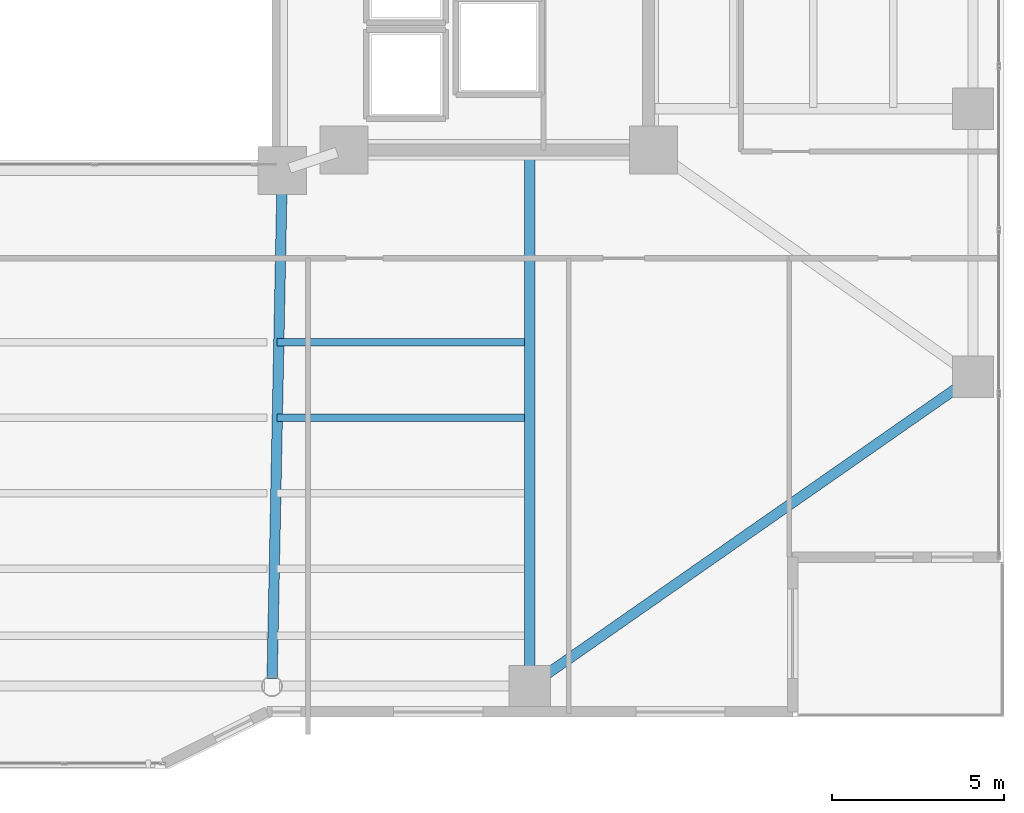
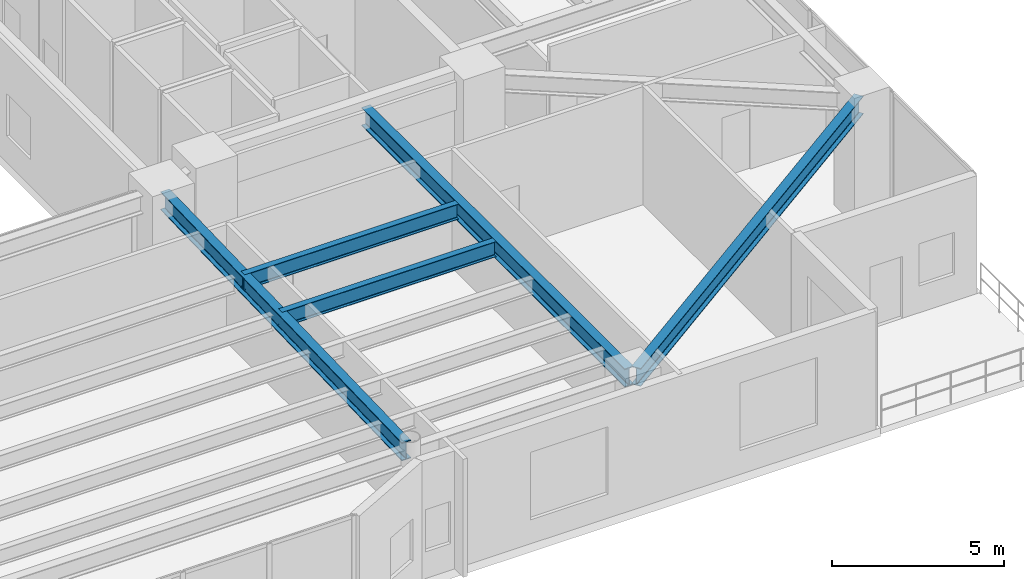
# One storey, part 12 of 40: 5 beams.
"""IFC4 building model written with IfcOpenShell, lengths in metres."""

from ifc_helpers import new_model, si_unit, direction, frame, origin, origin_2d, place, context, subcontext, project, spatial, i_section, extrude, material, material_profile, profile_set, type_object, element, save


model = new_model("IFC4")

# Units and contexts
model_context = context("Model", 3, precision=1e-05, world=origin(), true_north=direction((0.0, 1.0)))
body_context = subcontext(model_context, "Body", "Model", "MODEL_VIEW")
ifc_project = project(units=[si_unit("LENGTHUNIT", "METRE"), si_unit("AREAUNIT", "SQUARE_METRE"), si_unit("VOLUMEUNIT", "CUBIC_METRE"), si_unit("PLANEANGLEUNIT", "RADIAN"), si_unit("MASSUNIT", "GRAM", prefix="KILO")], contexts=[model_context])

# Site, building, storey
site_placement = place(None, origin())
site = spatial("IfcSite", under=ifc_project, at=site_placement, CompositionType="ELEMENT")
building_placement = place(site_placement, origin())
building = spatial("IfcBuilding", under=site, at=building_placement, Name="Tarnavaz Court Tower", CompositionType="ELEMENT")
storey_placement = place(building_placement, frame((0.0, 0.0, 64.199951171875)))
storey = spatial("IfcBuildingStorey", under=building, at=storey_placement, Name="L17", CompositionType="ELEMENT", Elevation=64.199951171875)

# Beams
ifc_material = material(Name="Steel S355", Category="steel")
ifc_material_profile_1 = material_profile(ifc_material, i_section(OverallWidth=0.300048828125, OverallDepth=0.64990234375, WebThickness=0.01611328125, FlangeThickness=0.031005859375, FilletRadius=0.027099609375, at=origin_2d()), Name="HEB 650")
ifc_profile_set_1 = profile_set([ifc_material_profile_1], Name="Steel S355")
beam_type_1 = type_object("IfcBeamType", Name="BM-G-HEB650", PredefinedType="USERDEFINED", material=ifc_profile_set_1)
beam_1_placement = place(storey_placement, frame((7.795654296875, -8.02001953125, 3.875), z_axis=(-0.020000023066, -0.999799979535, 0.0), x_axis=(0.999799979535, -0.020000023066, 0.0)))
element("IfcBeam", 1, at=beam_1_placement, inside=storey, type_object=beam_type_1, Name="L17 Beam RG-07", ObjectType="GIRDER", PredefinedType="USERDEFINED", context=body_context, shape_type="SweptSolid", body=[
    extrude(i_section(OverallWidth=0.300048828125, OverallDepth=0.64990234375, WebThickness=0.01611328125, FlangeThickness=0.031005859375, FilletRadius=0.027099609375, at=origin_2d()), origin(), (0.0, 0.0, 1.0), 14.56298828125),
])
beam_2_placement = place(storey_placement, frame((15.0, -7.239990234375, 3.875), z_axis=(0.0, -1.0, 0.0), x_axis=(1.0, 0.0, 0.0)))
element("IfcBeam", 2, at=beam_2_placement, inside=storey, type_object=beam_type_1, Name="L17 Beam RG-08", ObjectType="GIRDER", PredefinedType="USERDEFINED", context=body_context, shape_type="SweptSolid", body=[
    extrude(i_section(OverallWidth=0.300048828125, OverallDepth=0.64990234375, WebThickness=0.01611328125, FlangeThickness=0.031005859375, FilletRadius=0.027099609375, at=origin_2d()), origin(), (0.0, 0.0, 1.0), 15.340087890625),
])
ifc_material_profile_2 = material_profile(ifc_material, i_section(OverallWidth=0.2099609375, OverallDepth=0.550048828125, WebThickness=0.010986328125, FlangeThickness=0.01708984375, FilletRadius=0.02392578125, at=origin_2d()), Name="IPE 550")
ifc_profile_set_2 = profile_set([ifc_material_profile_2], Name="Steel S355")
beam_type_2 = type_object("IfcBeamType", Name="BM-J-IPE550", PredefinedType="JOIST", material=ifc_profile_set_2)
for number, where, z_axis, x_axis, name in (
    (3, (7.64990234375, -12.7958984375, 3.925048828125), (1.0, 0.0, 0.0), (0.0, 1.0, 0.0), "L17 Beam JS1-3"),
    (4, (7.64990234375, -14.991943359375, 3.925048828125), (1.0, 0.0, 0.0), (0.0, 1.0, 0.0), "L17 Beam JS2-3"),
):
    element("IfcBeam", number, at=place(storey_placement, frame(where, z_axis=z_axis, x_axis=x_axis)), inside=storey, type_object=beam_type_2, Name=name, PredefinedType="JOIST", context=body_context, shape_type="SweptSolid", body=[
        extrude(i_section(OverallWidth=0.2099609375, OverallDepth=0.550048828125, WebThickness=0.010986328125, FlangeThickness=0.01708984375, FilletRadius=0.02392578125, at=origin_2d()), origin(), (0.0, 0.0, 1.0), 7.2001953125),
    ])
ifc_material_profile_3 = material_profile(ifc_material, i_section(OverallWidth=0.300048828125, OverallDepth=0.639892578125, WebThickness=0.013427734375, FlangeThickness=0.02587890625, FilletRadius=0.027099609375, at=origin_2d()), Name="HEA 650")
ifc_profile_set_3 = profile_set([ifc_material_profile_3], Name="Steel S355")
beam_type_3 = type_object("IfcBeamType", Name="BM-SP-HEA650", PredefinedType="SPANDREL", material=ifc_profile_set_3)
beam_3_placement = place(storey_placement, frame((27.719482421875, -13.92578125, 3.880126953125), z_axis=(-0.820123643324, -0.572186341729, 0.0), x_axis=(0.572186341729, -0.820123643324, 0.0)))
element("IfcBeam", 5, at=beam_3_placement, inside=storey, type_object=beam_type_3, Name="L17 Beam PR-PE-1-PS-4", PredefinedType="SPANDREL", context=body_context, shape_type="SweptSolid", body=[
    extrude(i_section(OverallWidth=0.300048828125, OverallDepth=0.639892578125, WebThickness=0.013427734375, FlangeThickness=0.02587890625, FilletRadius=0.027099609375, at=origin_2d()), origin(), (0.0, 0.0, 1.0), 15.289306640625),
])

save(model, "model.ifc")
